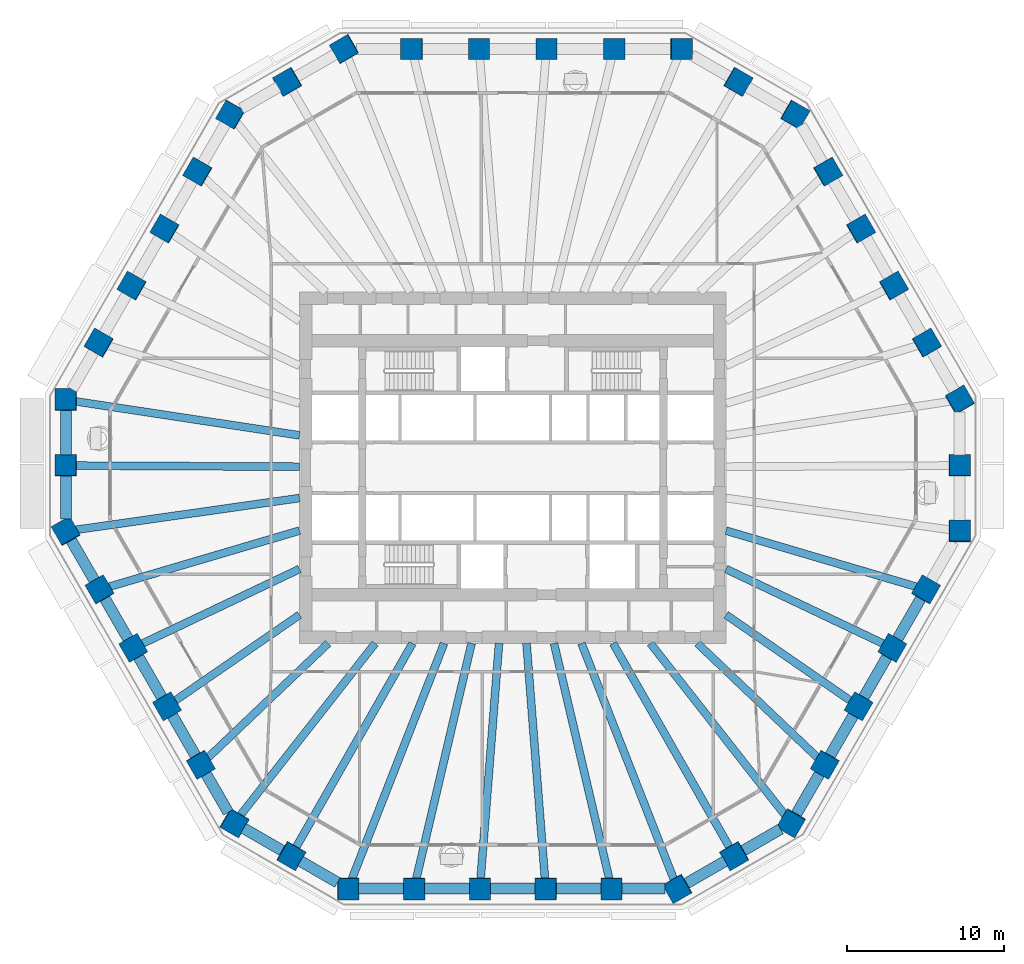
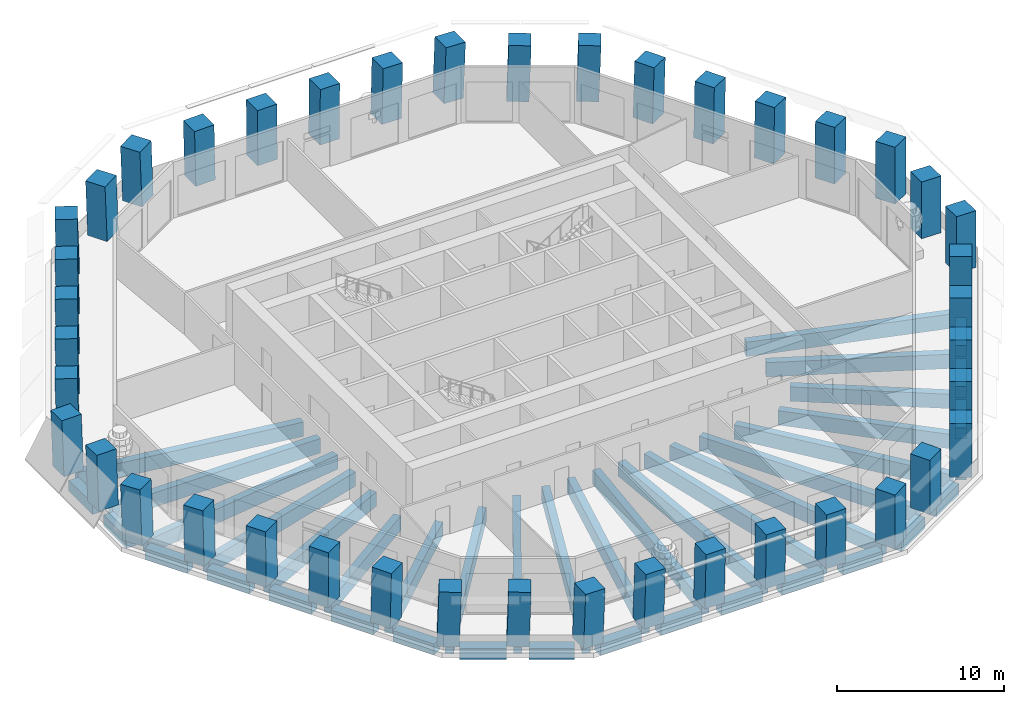
# One storey, part 1 of 12: 42 columns, 41 beams.
"""IFC4 building model written with IfcOpenShell, lengths in metres."""

from ifc_helpers import new_model, si_unit, direction, frame, origin, origin_2d, place, context, subcontext, project, spatial, rectangle, extrude, material, material_profile, profile_set, type_object, element, save


model = new_model("IFC4")

# Units and contexts
model_context = context("Model", 3, precision=1e-05, world=origin(), true_north=direction((0.0, 1.0)))
body_context = subcontext(model_context, "Body", "Model", "MODEL_VIEW")
ifc_project = project(units=[si_unit("LENGTHUNIT", "METRE"), si_unit("AREAUNIT", "SQUARE_METRE"), si_unit("VOLUMEUNIT", "CUBIC_METRE"), si_unit("PLANEANGLEUNIT", "RADIAN"), si_unit("MASSUNIT", "GRAM", prefix="KILO")], contexts=[model_context])

# Site, building, storey
site_placement = place(None, origin())
site = spatial("IfcSite", under=ifc_project, at=site_placement, CompositionType="ELEMENT")
building_placement = place(site_placement, origin())
building = spatial("IfcBuilding", under=site, at=building_placement, Name="Frailejon Research Tower", CompositionType="ELEMENT")
storey_placement = place(building_placement, frame((0.0, 0.0, 85.199951171875)))
storey = spatial("IfcBuildingStorey", under=building, at=storey_placement, Name="L18", CompositionType="ELEMENT", Elevation=85.199951171875)

# Columns
ifc_material_1 = material(Name="Concrete C70/85", Category="concrete")
ifc_material_profile_1 = material_profile(ifc_material_1, rectangle(XDim=1.35009765625, YDim=1.35009765625, at=origin_2d()), Name="Column 1350")
ifc_profile_set_1 = profile_set([ifc_material_profile_1], Name="Concrete C70/85")
column_type = type_object("IfcColumnType", Name="Column 1350", PredefinedType="COLUMN", material=ifc_profile_set_1)
for number, where, z_axis, x_axis, name in (
    (1, (28.49267578125, -4.04931640625, 0.0), (0.018132630042, 0.031385715123, 0.999342856388), (-0.000564983943, 0.99950734708, -0.031380629795), "Column C01"),
    (2, (28.49267578125, 0.13818359375, 0.0), (0.018132595726, 0.031445896907, 0.999340965106), (-0.001395592918, 0.999505115145, -0.031425739745), "Column C02"),
    (3, (28.49267578125, 4.32568359375, 0.0), (0.018132595726, 0.031445896907, 0.999340965106), (-0.501125927405, 0.865184399459, -0.018131735027), "Column C03"),
):
    element("IfcColumn", number, at=place(storey_placement, frame(where, z_axis=z_axis, x_axis=x_axis)), inside=storey, type_object=column_type, Name=name, PredefinedType="COLUMN", context=body_context, shape_type="SweptSolid", body=[
        extrude(rectangle(XDim=1.35009765625, YDim=1.35009765625, at=origin_2d()), origin(), (0.0, 0.0, 1.0), 4.052734375),
    ])
column_1_placement = place(storey_placement, frame((26.392578125, 7.963134765625, 0.0), z_axis=(0.021749390218, 0.025123256844, 0.9994477405), x_axis=(-0.500502362591, 0.865666942435, -0.01086875412)))
element("IfcColumn", 4, at=column_1_placement, inside=storey, type_object=column_type, Name="Column C04", PredefinedType="COLUMN", context=body_context, shape_type="SweptSolid", body=[
    extrude(rectangle(XDim=1.35009765625, YDim=1.35009765625, at=origin_2d()), origin(), (0.0, 0.0, 1.0), 4.05224609375),
])
for number, where, z_axis, x_axis, name in (
    (5, (24.29248046875, 11.6005859375, 0.0), (0.025425823116, 0.018798238892, 0.999499951843), (-0.498882626684, 0.866662044711, -0.003609023418), "Column C05"),
    (6, (22.192626953125, 15.23779296875, 0.0), (0.029040838643, 0.012592396839, 0.999498905068), (-0.500555205851, 0.86569697754, 0.003637165647), "Column C06"),
):
    element("IfcColumn", number, at=place(storey_placement, frame(where, z_axis=z_axis, x_axis=x_axis)), inside=storey, type_object=column_type, Name=name, PredefinedType="COLUMN", context=body_context, shape_type="SweptSolid", body=[
        extrude(rectangle(XDim=1.35009765625, YDim=1.35009765625, at=origin_2d()), origin(), (0.0, 0.0, 1.0), 4.052001953125),
    ])
column_2_placement = place(storey_placement, frame((20.092529296875, 18.875, 0.0), z_axis=(0.032654174822, 0.006325993277, 0.999446690262), x_axis=(-0.500478631698, 0.865680616164, 0.010872442804)))
element("IfcColumn", 7, at=column_2_placement, inside=storey, type_object=column_type, Name="Column C07", PredefinedType="COLUMN", context=body_context, shape_type="SweptSolid", body=[
    extrude(rectangle(XDim=1.35009765625, YDim=1.35009765625, at=origin_2d()), origin(), (0.0, 0.0, 1.0), 4.05224609375),
])
for number, where, z_axis, x_axis, name in (
    (8, (17.99267578125, 22.512451171875, 0.0), (0.036265236264, 0.0, 0.999342199969), (-0.865313546461, 0.500246354177, 0.031401456084), "Column C08"),
    (9, (14.3662109375, 24.606201171875, 0.0), (0.036205074038, 0.0, 0.999344381389), (-0.865315435316, 0.500246354177, 0.031349362627), "Column C09"),
    (10, (10.739501953125, 26.699951171875, 0.0), (0.036265236264, 0.0, 0.999342199969), (-0.999342199969, 0.0, 0.036265236264), "Column C10"),
):
    element("IfcColumn", number, at=place(storey_placement, frame(where, z_axis=z_axis, x_axis=x_axis)), inside=storey, type_object=column_type, Name=name, PredefinedType="COLUMN", context=body_context, shape_type="SweptSolid", body=[
        extrude(rectangle(XDim=1.35009765625, YDim=1.35009765625, at=origin_2d()), origin(), (0.0, 0.0, 1.0), 4.052734375),
    ])
column_3_placement = place(storey_placement, frame((6.443603515625, 26.699951171875, 0.0), z_axis=(0.021816495333, 0.0, 0.999761991942), x_axis=(-0.999761991942, 0.0, 0.021816495333)))
element("IfcColumn", 11, at=column_3_placement, inside=storey, type_object=column_type, Name="Column C11", PredefinedType="COLUMN", context=body_context, shape_type="SweptSolid", body=[
    extrude(rectangle(XDim=1.35009765625, YDim=1.35009765625, at=origin_2d()), origin(), (0.0, 0.0, 1.0), 4.051025390625),
])
for number, where, z_axis, x_axis, name in (
    (12, (2.14794921875, 26.699951171875, 0.0), (0.007233519834, 0.0, 0.999973837753), (-0.999973837753, 0.0, 0.007233519834), "Column C12"),
    (13, (-2.14794921875, 26.699951171875, 0.0), (-0.007233519834, 0.0, 0.999973837753), (-0.999973837753, 0.0, -0.007233519834), "Column C13"),
):
    element("IfcColumn", number, at=place(storey_placement, frame(where, z_axis=z_axis, x_axis=x_axis)), inside=storey, type_object=column_type, Name=name, PredefinedType="COLUMN", context=body_context, shape_type="SweptSolid", body=[
        extrude(rectangle(XDim=1.35009765625, YDim=1.35009765625, at=origin_2d()), origin(), (0.0, 0.0, 1.0), 4.050048828125),
    ])
column_4_placement = place(storey_placement, frame((-6.443603515625, 26.699951171875, 0.0), z_axis=(-0.021816495333, 0.0, 0.999761991942), x_axis=(-0.999761991942, 0.0, -0.021816495333)))
element("IfcColumn", 14, at=column_4_placement, inside=storey, type_object=column_type, Name="Column C14", PredefinedType="COLUMN", context=body_context, shape_type="SweptSolid", body=[
    extrude(rectangle(XDim=1.35009765625, YDim=1.35009765625, at=origin_2d()), origin(), (0.0, 0.0, 1.0), 4.051025390625),
])
for number, where, z_axis, x_axis, name in (
    (15, (-10.739501953125, 26.699951171875, 0.0), (-0.036265236264, 0.0, 0.999342199969), (-0.865313546461, -0.500246354177, -0.031401456084), "Column C15"),
    (16, (-14.3662109375, 24.606201171875, 0.0), (-0.036205074038, 0.0, 0.999344381389), (-0.865315435316, -0.500246354177, -0.031349362627), "Column C16"),
    (17, (-17.99267578125, 22.512451171875, 0.0), (-0.036265236264, 0.0, 0.999342199969), (-0.499424867419, -0.866167613071, -0.018123682572), "Column C17"),
):
    element("IfcColumn", number, at=place(storey_placement, frame(where, z_axis=z_axis, x_axis=x_axis)), inside=storey, type_object=column_type, Name=name, PredefinedType="COLUMN", context=body_context, shape_type="SweptSolid", body=[
        extrude(rectangle(XDim=1.35009765625, YDim=1.35009765625, at=origin_2d()), origin(), (0.0, 0.0, 1.0), 4.052734375),
    ])
column_5_placement = place(storey_placement, frame((-20.092529296875, 18.875, 0.0), z_axis=(-0.032654174822, 0.006325993277, 0.999446690262), x_axis=(-0.500478631698, -0.865680616164, -0.010872442804)))
element("IfcColumn", 18, at=column_5_placement, inside=storey, type_object=column_type, Name="Column C18", PredefinedType="COLUMN", context=body_context, shape_type="SweptSolid", body=[
    extrude(rectangle(XDim=1.35009765625, YDim=1.35009765625, at=origin_2d()), origin(), (0.0, 0.0, 1.0), 4.05224609375),
])
for number, where, z_axis, x_axis, name in (
    (19, (-22.192626953125, 15.23779296875, 0.0), (-0.029040838643, 0.012592396839, 0.999498905068), (-0.500555205851, -0.86569697754, -0.003637165647), "Column C19"),
    (20, (-24.29248046875, 11.6005859375, 0.0), (-0.025425823116, 0.018798238892, 0.999499951843), (-0.498882626684, -0.866662044711, 0.003609023418), "Column C20"),
):
    element("IfcColumn", number, at=place(storey_placement, frame(where, z_axis=z_axis, x_axis=x_axis)), inside=storey, type_object=column_type, Name=name, PredefinedType="COLUMN", context=body_context, shape_type="SweptSolid", body=[
        extrude(rectangle(XDim=1.35009765625, YDim=1.35009765625, at=origin_2d()), origin(), (0.0, 0.0, 1.0), 4.052001953125),
    ])
column_6_placement = place(storey_placement, frame((-26.392578125, 7.963134765625, 0.0), z_axis=(-0.021749390218, 0.025123256844, 0.9994477405), x_axis=(-0.500502362591, -0.865666942435, 0.01086875412)))
element("IfcColumn", 21, at=column_6_placement, inside=storey, type_object=column_type, Name="Column C21", PredefinedType="COLUMN", context=body_context, shape_type="SweptSolid", body=[
    extrude(rectangle(XDim=1.35009765625, YDim=1.35009765625, at=origin_2d()), origin(), (0.0, 0.0, 1.0), 4.05224609375),
])
for number, where, z_axis, x_axis, name in (
    (22, (-28.49267578125, 4.32568359375, 0.0), (-0.018132595726, 0.031445896907, 0.999340965106), (-0.001395592918, -0.999505115145, 0.031425739745), "Column C22"),
    (23, (-28.49267578125, 0.13818359375, 0.0), (-0.018132595726, 0.031445896907, 0.999340965106), (-0.001395592918, -0.999505115145, 0.031425739745), "Column C23"),
    (24, (-28.49267578125, -4.04931640625, 0.0), (-0.018132630042, 0.031385715123, 0.999342856388), (0.499674818932, -0.865454343132, 0.036247141676), "Column C24"),
):
    element("IfcColumn", number, at=place(storey_placement, frame(where, z_axis=z_axis, x_axis=x_axis)), inside=storey, type_object=column_type, Name=name, PredefinedType="COLUMN", context=body_context, shape_type="SweptSolid", body=[
        extrude(rectangle(XDim=1.35009765625, YDim=1.35009765625, at=origin_2d()), origin(), (0.0, 0.0, 1.0), 4.052734375),
    ])
column_7_placement = place(storey_placement, frame((-26.3447265625, -7.76953125, 0.0), z_axis=(-0.010908253887, 0.018863444567, 0.99976256204), x_axis=(0.500638377412, -0.865382225109, 0.021790354016)))
element("IfcColumn", 25, at=column_7_placement, inside=storey, type_object=column_type, Name="Column C25", PredefinedType="COLUMN", context=body_context, shape_type="SweptSolid", body=[
    extrude(rectangle(XDim=1.35009765625, YDim=1.35009765625, at=origin_2d()), origin(), (0.0, 0.0, 1.0), 4.051025390625),
])
for number, where, z_axis, x_axis, name in (
    (26, (-24.19677734375, -11.489990234375, 0.0), (-0.003616758439, 0.006329327268, 0.999973428984), (0.495951477881, -0.868319636001, 0.00728980954), "Column C26"),
    (27, (-22.048828125, -15.210205078125, 0.0), (0.003616759812, -0.006269050341, 0.999973808685), (0.501883236828, -0.864905101718, -0.007237514304), "Column C27"),
):
    element("IfcColumn", number, at=place(storey_placement, frame(where, z_axis=z_axis, x_axis=x_axis)), inside=storey, type_object=column_type, Name=name, PredefinedType="COLUMN", context=body_context, shape_type="SweptSolid", body=[
        extrude(rectangle(XDim=1.35009765625, YDim=1.35009765625, at=origin_2d()), origin(), (0.0, 0.0, 1.0), 4.050048828125),
    ])
column_8_placement = place(storey_placement, frame((-19.90087890625, -18.930419921875, 0.0), z_axis=(0.010847994403, -0.018863456933, 0.999763217472), x_axis=(0.498562459177, -0.866580616749, -0.02176026136)))
element("IfcColumn", 28, at=column_8_placement, inside=storey, type_object=column_type, Name="Column C28", PredefinedType="COLUMN", context=body_context, shape_type="SweptSolid", body=[
    extrude(rectangle(XDim=1.35009765625, YDim=1.35009765625, at=origin_2d()), origin(), (0.0, 0.0, 1.0), 4.051025390625),
])
for number, where, z_axis, x_axis, name in (
    (29, (-17.753173828125, -22.650634765625, 0.0), (0.018132595726, -0.031445896907, 0.999340965106), (0.865740985748, -0.499504693256, -0.031426215359), "Column C29"),
    (30, (-14.126708984375, -24.744384765625, 0.0), (0.018192817002, -0.0314458625, 0.999339871686), (0.866186210709, -0.498729969757, -0.031462130318), "Column C30"),
    (31, (-10.5, -26.83837890625, 0.0), (0.018132630042, -0.031385715123, 0.999342856388), (0.999835440934, 0.001115627466, -0.018106529978), "Column C31"),
):
    element("IfcColumn", number, at=place(storey_placement, frame(where, z_axis=z_axis, x_axis=x_axis)), inside=storey, type_object=column_type, Name=name, PredefinedType="COLUMN", context=body_context, shape_type="SweptSolid", body=[
        extrude(rectangle(XDim=1.35009765625, YDim=1.35009765625, at=origin_2d()), origin(), (0.0, 0.0, 1.0), 4.052734375),
    ])
column_9_placement = place(storey_placement, frame((-6.300048828125, -26.83837890625, 0.0), z_axis=(0.010904819076, -0.031389009606, 0.999447755011), x_axis=(0.999940093801, 0.001287275269, -0.010869762286)))
element("IfcColumn", 32, at=column_9_placement, inside=storey, type_object=column_type, Name="Column C32", PredefinedType="COLUMN", context=body_context, shape_type="SweptSolid", body=[
    extrude(rectangle(XDim=1.35009765625, YDim=1.35009765625, at=origin_2d()), origin(), (0.0, 0.0, 1.0), 4.05224609375),
])
for number, where, z_axis, x_axis, name in (
    (33, (-2.10009765625, -26.83837890625, 0.0), (0.003675298481, -0.031390664074, 0.999500434412), (0.999992304508, 0.001486966471, -0.003630406959), "Column C33"),
    (34, (2.10009765625, -26.83837890625, 0.0), (-0.003675298481, -0.031390664074, 0.999500434412), (0.999992304508, -0.001486966471, 0.003630406959), "Column C34"),
):
    element("IfcColumn", number, at=place(storey_placement, frame(where, z_axis=z_axis, x_axis=x_axis)), inside=storey, type_object=column_type, Name=name, PredefinedType="COLUMN", context=body_context, shape_type="SweptSolid", body=[
        extrude(rectangle(XDim=1.35009765625, YDim=1.35009765625, at=origin_2d()), origin(), (0.0, 0.0, 1.0), 4.052001953125),
    ])
column_10_placement = place(storey_placement, frame((6.300048828125, -26.83837890625, 0.0), z_axis=(-0.010904819076, -0.031389009606, 0.999447755011), x_axis=(0.999940093801, -0.001287275269, 0.010869762286)))
element("IfcColumn", 35, at=column_10_placement, inside=storey, type_object=column_type, Name="Column C35", PredefinedType="COLUMN", context=body_context, shape_type="SweptSolid", body=[
    extrude(rectangle(XDim=1.35009765625, YDim=1.35009765625, at=origin_2d()), origin(), (0.0, 0.0, 1.0), 4.05224609375),
])
for number, where, z_axis, x_axis, name in (
    (36, (10.5, -26.83837890625, 0.0), (-0.018132630042, -0.031385715123, 0.999342856388), (0.866156195426, 0.498787200508, 0.031381104725), "Column C36"),
    (37, (14.126708984375, -24.744384765625, 0.0), (-0.018192817002, -0.0314458625, 0.999339871686), (0.866186210709, 0.498729969757, 0.031462130318), "Column C37"),
    (38, (17.753173828125, -22.650634765625, 0.0), (-0.018132595726, -0.031445896907, 0.999340965106), (0.499425428362, 0.865596098728, 0.036299247542), "Column C38"),
):
    element("IfcColumn", number, at=place(storey_placement, frame(where, z_axis=z_axis, x_axis=x_axis)), inside=storey, type_object=column_type, Name=name, PredefinedType="COLUMN", context=body_context, shape_type="SweptSolid", body=[
        extrude(rectangle(XDim=1.35009765625, YDim=1.35009765625, at=origin_2d()), origin(), (0.0, 0.0, 1.0), 4.052734375),
    ])
column_11_placement = place(storey_placement, frame((19.90087890625, -18.930419921875, 0.0), z_axis=(-0.010847994403, -0.018863456933, 0.999763217472), x_axis=(0.498562459177, 0.866580616749, 0.02176026136)))
element("IfcColumn", 39, at=column_11_placement, inside=storey, type_object=column_type, Name="Column C39", PredefinedType="COLUMN", context=body_context, shape_type="SweptSolid", body=[
    extrude(rectangle(XDim=1.35009765625, YDim=1.35009765625, at=origin_2d()), origin(), (0.0, 0.0, 1.0), 4.051025390625),
])
for number, where, z_axis, x_axis, name in (
    (40, (22.048828125, -15.210205078125, 0.0), (-0.003616759812, -0.006269050341, 0.999973808685), (0.501883236828, 0.864905101718, 0.007237514304), "Column C40"),
    (41, (24.19677734375, -11.489990234375, 0.0), (0.003616758439, 0.006329327268, 0.999973428984), (0.495951477881, 0.868319636001, -0.00728980954), "Column C41"),
):
    element("IfcColumn", number, at=place(storey_placement, frame(where, z_axis=z_axis, x_axis=x_axis)), inside=storey, type_object=column_type, Name=name, PredefinedType="COLUMN", context=body_context, shape_type="SweptSolid", body=[
        extrude(rectangle(XDim=1.35009765625, YDim=1.35009765625, at=origin_2d()), origin(), (0.0, 0.0, 1.0), 4.050048828125),
    ])
column_12_placement = place(storey_placement, frame((26.3447265625, -7.76953125, 0.0), z_axis=(0.010908253887, 0.018863444567, 0.99976256204), x_axis=(0.500638377412, 0.865382225109, -0.021790354016)))
element("IfcColumn", 42, at=column_12_placement, inside=storey, type_object=column_type, Name="Column C42", PredefinedType="COLUMN", context=body_context, shape_type="SweptSolid", body=[
    extrude(rectangle(XDim=1.35009765625, YDim=1.35009765625, at=origin_2d()), origin(), (0.0, 0.0, 1.0), 4.051025390625),
])

# Beams
ifc_material_2 = material(Name="Concrete C60/75", Category="concrete")
ifc_material_profile_2 = material_profile(ifc_material_2, rectangle(XDim=0.5, YDim=1.050048828125, at=origin_2d()), Name="Girder 500x1050")
ifc_profile_set_2 = profile_set([ifc_material_profile_2], Name="Concrete C60/75")
beam_type_1 = type_object("IfcBeamType", Name="Girder 500x1050", PredefinedType="BEAM", material=ifc_profile_set_2)
beam_1_placement = place(storey_placement, frame((-27.9658203125, 4.245849609375, -0.824951171875), z_axis=(0.98866930431, -0.150109982066, 0.0), x_axis=(0.150109982066, 0.98866930431, 0.0)))
element("IfcBeam", 43, at=beam_1_placement, inside=storey, type_object=beam_type_1, Name="Girder 500x1050", PredefinedType="BEAM", context=body_context, shape_type="SweptSolid", body=[
    extrude(rectangle(XDim=0.5, YDim=1.050048828125, at=origin_2d()), origin(), (0.0, 0.0, 1.0), 14.5302734375),
])
beam_2_placement = place(storey_placement, frame((-27.967529296875, 0.1357421875, -0.824951171875), z_axis=(0.999988190916, -0.004859838274, 0.0), x_axis=(0.004859838274, 0.999988190916, 0.0)))
element("IfcBeam", 44, at=beam_2_placement, inside=storey, type_object=beam_type_1, Name="Girder 500x1050", PredefinedType="BEAM", context=body_context, shape_type="SweptSolid", body=[
    extrude(rectangle(XDim=0.5, YDim=1.050048828125, at=origin_2d()), origin(), (0.0, 0.0, 1.0), 14.36767578125),
])
beam_3_placement = place(storey_placement, frame((-27.9208984375, -3.968017578125, -0.824951171875), z_axis=(0.990052525331, 0.140698248341, 0.0), x_axis=(-0.140698248341, 0.990052525331, 0.0)))
element("IfcBeam", 45, at=beam_3_placement, inside=storey, type_object=beam_type_1, Name="Girder 500x1050", PredefinedType="BEAM", context=body_context, shape_type="SweptSolid", body=[
    extrude(rectangle(XDim=0.5, YDim=1.050048828125, at=origin_2d()), origin(), (0.0, 0.0, 1.0), 14.464599609375),
])
beam_4_placement = place(storey_placement, frame((-25.822509765625, -7.615478515625, -0.824951171875), z_axis=(0.959159928383, 0.282864334591, 0.0), x_axis=(-0.282864334591, 0.959159928383, 0.0)))
element("IfcBeam", 46, at=beam_4_placement, inside=storey, type_object=beam_type_1, Name="Girder 500x1050", PredefinedType="BEAM", context=body_context, shape_type="SweptSolid", body=[
    extrude(rectangle(XDim=0.5, YDim=1.050048828125, at=origin_2d()), origin(), (0.0, 0.0, 1.0), 12.742919921875),
])
beam_5_placement = place(storey_placement, frame((-23.720703125, -11.263916015625, -0.824951171875), z_axis=(0.90332521456, 0.428956357616, 0.0), x_axis=(-0.428956357616, 0.90332521456, 0.0)))
element("IfcBeam", 47, at=beam_5_placement, inside=storey, type_object=beam_type_1, Name="Girder 500x1050", PredefinedType="BEAM", context=body_context, shape_type="SweptSolid", body=[
    extrude(rectangle(XDim=0.5, YDim=1.050048828125, at=origin_2d()), origin(), (0.0, 0.0, 1.0), 11.20361328125),
])
beam_6_placement = place(storey_placement, frame((-21.614990234375, -14.91064453125, -0.824951171875), z_axis=(0.823150550862, 0.56782318605, 0.0), x_axis=(-0.56782318605, 0.823150550862, 0.0)))
element("IfcBeam", 48, at=beam_6_placement, inside=storey, type_object=beam_type_1, Name="Girder 500x1050", PredefinedType="BEAM", context=body_context, shape_type="SweptSolid", body=[
    extrude(rectangle(XDim=0.5, YDim=1.050048828125, at=origin_2d()), origin(), (0.0, 0.0, 1.0), 9.73681640625),
])
beam_7_placement = place(storey_placement, frame((-19.506591796875, -18.55517578125, -0.824951171875), z_axis=(0.724558340328, 0.68921347307, 0.0), x_axis=(-0.68921347307, 0.724558340328, 0.0)))
element("IfcBeam", 49, at=beam_7_placement, inside=storey, type_object=beam_type_1, Name="Girder 500x1050", PredefinedType="BEAM", context=body_context, shape_type="SweptSolid", body=[
    extrude(rectangle(XDim=0.5, YDim=1.050048828125, at=origin_2d()), origin(), (0.0, 0.0, 1.0), 10.671875),
])
beam_8_placement = place(storey_placement, frame((-17.425048828125, -22.232177734375, -0.824951171875), z_axis=(0.616874956292, 0.787061171892, 0.0), x_axis=(-0.787061171892, 0.616874956292, 0.0)))
element("IfcBeam", 50, at=beam_8_placement, inside=storey, type_object=beam_type_1, Name="Girder 500x1050", PredefinedType="BEAM", context=body_context, shape_type="SweptSolid", body=[
    extrude(rectangle(XDim=0.5, YDim=1.050048828125, at=origin_2d()), origin(), (0.0, 0.0, 1.0), 14.01708984375),
])
beam_9_placement = place(storey_placement, frame((-13.8662109375, -24.28857421875, -0.824951171875), z_axis=(0.495786507001, 0.868444436608, 0.0), x_axis=(-0.868444436608, 0.495786507001, 0.0)))
element("IfcBeam", 51, at=beam_9_placement, inside=storey, type_object=beam_type_1, Name="Girder 500x1050", PredefinedType="BEAM", context=body_context, shape_type="SweptSolid", body=[
    extrude(rectangle(XDim=0.5, YDim=1.050048828125, at=origin_2d()), origin(), (0.0, 0.0, 1.0), 15.0712890625),
])
beam_10_placement = place(storey_placement, frame((-10.29052734375, -26.302978515625, -0.824951171875), z_axis=(0.364335775627, 0.931267653577, 0.0), x_axis=(-0.931267653577, 0.364335775627, 0.0)))
element("IfcBeam", 52, at=beam_10_placement, inside=storey, type_object=beam_type_1, Name="Girder 500x1050", PredefinedType="BEAM", context=body_context, shape_type="SweptSolid", body=[
    extrude(rectangle(XDim=0.5, YDim=1.050048828125, at=origin_2d()), origin(), (0.0, 0.0, 1.0), 16.2177734375),
])
beam_11_placement = place(storey_placement, frame((-6.17578125, -26.309326171875, -0.824951171875), z_axis=(0.228519363908, 0.973539367627, 0.0), x_axis=(-0.973539367627, 0.228519363908, 0.0)))
element("IfcBeam", 53, at=beam_11_placement, inside=storey, type_object=beam_type_1, Name="Girder 500x1050", PredefinedType="BEAM", context=body_context, shape_type="SweptSolid", body=[
    extrude(rectangle(XDim=0.5, YDim=1.050048828125, at=origin_2d()), origin(), (0.0, 0.0, 1.0), 15.52001953125),
])
for number, where, z_axis, x_axis, name in (
    (54, (-2.058837890625, -26.312744140625, -0.824951171875), (0.07799821964, 0.99695349828, 0.0), (-0.99695349828, 0.07799821964, 0.0), "Girder 500x1050"),
    (55, (2.058837890625, -26.312744140625, -0.824951171875), (-0.07799821964, 0.99695349828, 0.0), (-0.99695349828, -0.07799821964, 0.0), "Girder 500x1050"),
):
    element("IfcBeam", number, at=place(storey_placement, frame(where, z_axis=z_axis, x_axis=x_axis)), inside=storey, type_object=beam_type_1, Name=name, PredefinedType="BEAM", context=body_context, shape_type="SweptSolid", body=[
        extrude(rectangle(XDim=0.5, YDim=1.050048828125, at=origin_2d()), origin(), (0.0, 0.0, 1.0), 15.158935546875),
    ])
beam_12_placement = place(storey_placement, frame((6.17578125, -26.309326171875, -0.824951171875), z_axis=(-0.228519363908, 0.973539367627, 0.0), x_axis=(-0.973539367627, -0.228519363908, 0.0)))
element("IfcBeam", 56, at=beam_12_placement, inside=storey, type_object=beam_type_1, Name="Girder 500x1050", PredefinedType="BEAM", context=body_context, shape_type="SweptSolid", body=[
    extrude(rectangle(XDim=0.5, YDim=1.050048828125, at=origin_2d()), origin(), (0.0, 0.0, 1.0), 15.52001953125),
])
beam_13_placement = place(storey_placement, frame((10.305908203125, -26.34228515625, -0.824951171875), z_axis=(-0.364335940657, 0.931267589013, 0.0), x_axis=(-0.931267589013, -0.364335940657, 0.0)))
element("IfcBeam", 57, at=beam_13_placement, inside=storey, type_object=beam_type_1, Name="Girder 500x1050", PredefinedType="BEAM", context=body_context, shape_type="SweptSolid", body=[
    extrude(rectangle(XDim=0.5, YDim=1.050048828125, at=origin_2d()), origin(), (0.0, 0.0, 1.0), 16.260009765625),
])
beam_14_placement = place(storey_placement, frame((13.8662109375, -24.28857421875, -0.824951171875), z_axis=(-0.495786507001, 0.868444436608, 0.0), x_axis=(-0.868444436608, -0.495786507001, 0.0)))
element("IfcBeam", 58, at=beam_14_placement, inside=storey, type_object=beam_type_1, Name="Girder 500x1050", PredefinedType="BEAM", context=body_context, shape_type="SweptSolid", body=[
    extrude(rectangle(XDim=0.5, YDim=1.050048828125, at=origin_2d()), origin(), (0.0, 0.0, 1.0), 15.0712890625),
])
beam_15_placement = place(storey_placement, frame((17.396728515625, -22.196044921875, -0.824951171875), z_axis=(-0.616874934253, 0.787061189166, 0.0), x_axis=(-0.787061189166, -0.616874934253, 0.0)))
element("IfcBeam", 59, at=beam_15_placement, inside=storey, type_object=beam_type_1, Name="Girder 500x1050", PredefinedType="BEAM", context=body_context, shape_type="SweptSolid", body=[
    extrude(rectangle(XDim=0.5, YDim=1.050048828125, at=origin_2d()), origin(), (0.0, 0.0, 1.0), 13.97119140625),
])
beam_16_placement = place(storey_placement, frame((19.506591796875, -18.55517578125, -0.824951171875), z_axis=(-0.724558340328, 0.68921347307, 0.0), x_axis=(-0.68921347307, -0.724558340328, 0.0)))
element("IfcBeam", 60, at=beam_16_placement, inside=storey, type_object=beam_type_1, Name="Girder 500x1050", PredefinedType="BEAM", context=body_context, shape_type="SweptSolid", body=[
    extrude(rectangle(XDim=0.5, YDim=1.050048828125, at=origin_2d()), origin(), (0.0, 0.0, 1.0), 10.671875),
])
beam_17_placement = place(storey_placement, frame((21.614990234375, -14.91064453125, -0.824951171875), z_axis=(-0.823150550862, 0.56782318605, 0.0), x_axis=(-0.56782318605, -0.823150550862, 0.0)))
element("IfcBeam", 61, at=beam_17_placement, inside=storey, type_object=beam_type_1, Name="Girder 500x1050", PredefinedType="BEAM", context=body_context, shape_type="SweptSolid", body=[
    extrude(rectangle(XDim=0.5, YDim=1.050048828125, at=origin_2d()), origin(), (0.0, 0.0, 1.0), 9.73681640625),
])
beam_18_placement = place(storey_placement, frame((23.720703125, -11.263916015625, -0.824951171875), z_axis=(-0.90332521456, 0.428956357616, 0.0), x_axis=(-0.428956357616, -0.90332521456, 0.0)))
element("IfcBeam", 62, at=beam_18_placement, inside=storey, type_object=beam_type_1, Name="Girder 500x1050", PredefinedType="BEAM", context=body_context, shape_type="SweptSolid", body=[
    extrude(rectangle(XDim=0.5, YDim=1.050048828125, at=origin_2d()), origin(), (0.0, 0.0, 1.0), 11.20361328125),
])
beam_19_placement = place(storey_placement, frame((25.822509765625, -7.615478515625, -0.824951171875), z_axis=(-0.959159928383, 0.282864334591, 0.0), x_axis=(-0.282864334591, -0.959159928383, 0.0)))
element("IfcBeam", 63, at=beam_19_placement, inside=storey, type_object=beam_type_1, Name="Girder 500x1050", PredefinedType="BEAM", context=body_context, shape_type="SweptSolid", body=[
    extrude(rectangle(XDim=0.5, YDim=1.050048828125, at=origin_2d()), origin(), (0.0, 0.0, 1.0), 12.742919921875),
])
ifc_material_3 = material(Name="Concrete C60/75", Category="concrete")
ifc_material_profile_3 = material_profile(ifc_material_3, rectangle(XDim=0.699951171875, YDim=0.800048828125, at=origin_2d()), Name="Spandrel 700x800")
ifc_profile_set_3 = profile_set([ifc_material_profile_3], Name="Concrete C60/75")
beam_type_2 = type_object("IfcBeamType", Name="Spandrel 700x800", PredefinedType="BEAM", material=ifc_profile_set_3)
beam_20_placement = place(storey_placement, frame((-28.49267578125, 3.65087890625, -0.75), z_axis=(0.0, -1.0, 0.0), x_axis=(1.0, 0.0, 0.0)))
element("IfcBeam", 64, at=beam_20_placement, inside=storey, type_object=beam_type_2, Name="Spandrel 700x800", PredefinedType="BEAM", context=body_context, shape_type="SweptSolid", body=[
    extrude(rectangle(XDim=0.699951171875, YDim=0.800048828125, at=origin_2d()), origin(), (0.0, 0.0, 1.0), 2.837646484375),
])
beam_21_placement = place(storey_placement, frame((-28.49267578125, -0.53662109375, -0.75), z_axis=(0.0, -1.0, 0.0), x_axis=(1.0, 0.0, 0.0)))
element("IfcBeam", 65, at=beam_21_placement, inside=storey, type_object=beam_type_2, Name="Spandrel 700x800", PredefinedType="BEAM", context=body_context, shape_type="SweptSolid", body=[
    extrude(rectangle(XDim=0.699951171875, YDim=0.800048828125, at=origin_2d()), origin(), (0.0, 0.0, 1.0), 2.7333984375),
])
for number, where, z_axis, x_axis, name in (
    (66, (-28.155029296875, -4.6337890625, -0.75), (0.499980712142, -0.866036539348, 0.0), (0.866036539348, 0.499980712142, 0.0), "Spandrel 700x800"),
    (67, (-26.007080078125, -8.354248046875, -0.75), (0.500016598995, -0.866015820138, 0.0), (0.866015820138, 0.500016598995, 0.0), "Spandrel 700x800"),
    (68, (-23.859375, -12.074462890625, -0.75), (0.500016598995, -0.866015820138, 0.0), (0.866015820138, 0.500016598995, 0.0), "Spandrel 700x800"),
    (69, (-21.71142578125, -15.794677734375, -0.75), (0.500016598995, -0.866015820138, 0.0), (0.866015820138, 0.500016598995, 0.0), "Spandrel 700x800"),
):
    element("IfcBeam", number, at=place(storey_placement, frame(where, z_axis=z_axis, x_axis=x_axis)), inside=storey, type_object=beam_type_2, Name=name, PredefinedType="BEAM", context=body_context, shape_type="SweptSolid", body=[
        extrude(rectangle(XDim=0.699951171875, YDim=0.800048828125, at=origin_2d()), origin(), (0.0, 0.0, 1.0), 2.94580078125),
    ])
beam_22_placement = place(storey_placement, frame((-19.5634765625, -19.514892578125, -0.75), z_axis=(0.499992694506, -0.866029621572, 0.0), x_axis=(0.866029621572, 0.499992694506, 0.0)))
element("IfcBeam", 70, at=beam_22_placement, inside=storey, type_object=beam_type_2, Name="Spandrel 700x800", PredefinedType="BEAM", context=body_context, shape_type="SweptSolid", body=[
    extrude(rectangle(XDim=0.699951171875, YDim=0.800048828125, at=origin_2d()), origin(), (0.0, 0.0, 1.0), 2.84130859375),
])
beam_23_placement = place(storey_placement, frame((-17.16845703125, -22.98828125, -0.75), z_axis=(0.866026538634, -0.499998034377, 0.0), x_axis=(0.499998034377, 0.866026538634, 0.0)))
element("IfcBeam", 71, at=beam_23_placement, inside=storey, type_object=beam_type_2, Name="Spandrel 700x800", PredefinedType="BEAM", context=body_context, shape_type="SweptSolid", body=[
    extrude(rectangle(XDim=0.699951171875, YDim=0.800048828125, at=origin_2d()), origin(), (0.0, 0.0, 1.0), 2.83740234375),
])
beam_24_placement = place(storey_placement, frame((-13.5419921875, -25.08203125, -0.75), z_axis=(0.866041295585, -0.499972473583, 0.0), x_axis=(0.499972473583, 0.866041295585, 0.0)))
element("IfcBeam", 72, at=beam_24_placement, inside=storey, type_object=beam_type_2, Name="Spandrel 700x800", PredefinedType="BEAM", context=body_context, shape_type="SweptSolid", body=[
    extrude(rectangle(XDim=0.699951171875, YDim=0.800048828125, at=origin_2d()), origin(), (0.0, 0.0, 1.0), 2.733154296875),
])
beam_25_placement = place(storey_placement, frame((-9.824951171875, -26.83837890625, -0.75), z_axis=(1.0, 0.0, 0.0), x_axis=(0.0, 1.0, 0.0)))
element("IfcBeam", 73, at=beam_25_placement, inside=storey, type_object=beam_type_2, Name="Spandrel 700x800", PredefinedType="BEAM", context=body_context, shape_type="SweptSolid", body=[
    extrude(rectangle(XDim=0.699951171875, YDim=0.800048828125, at=origin_2d()), origin(), (0.0, 0.0, 1.0), 2.849853515625),
])
for number, where, z_axis, x_axis, name in (
    (74, (-5.625, -26.83837890625, -0.75), (1.0, 0.0, 0.0), (0.0, 1.0, 0.0), "Spandrel 700x800"),
    (75, (-1.425048828125, -26.83837890625, -0.75), (1.0, 0.0, 0.0), (0.0, 1.0, 0.0), "Spandrel 700x800"),
    (76, (2.77490234375, -26.83837890625, -0.75), (1.0, 0.0, 0.0), (0.0, 1.0, 0.0), "Spandrel 700x800"),
):
    element("IfcBeam", number, at=place(storey_placement, frame(where, z_axis=z_axis, x_axis=x_axis)), inside=storey, type_object=beam_type_2, Name=name, PredefinedType="BEAM", context=body_context, shape_type="SweptSolid", body=[
        extrude(rectangle(XDim=0.699951171875, YDim=0.800048828125, at=origin_2d()), origin(), (0.0, 0.0, 1.0), 2.85009765625),
    ])
beam_26_placement = place(storey_placement, frame((6.97509765625, -26.83837890625, -0.75), z_axis=(1.0, 0.0, 0.0), x_axis=(0.0, 1.0, 0.0)))
element("IfcBeam", 77, at=beam_26_placement, inside=storey, type_object=beam_type_2, Name="Spandrel 700x800", PredefinedType="BEAM", context=body_context, shape_type="SweptSolid", body=[
    extrude(rectangle(XDim=0.699951171875, YDim=0.800048828125, at=origin_2d()), origin(), (0.0, 0.0, 1.0), 2.74560546875),
])
beam_27_placement = place(storey_placement, frame((11.084716796875, -26.500732421875, -0.75), z_axis=(0.866026538634, 0.499998034377, 0.0), x_axis=(-0.499998034377, 0.866026538634, 0.0)))
element("IfcBeam", 78, at=beam_27_placement, inside=storey, type_object=beam_type_2, Name="Spandrel 700x800", PredefinedType="BEAM", context=body_context, shape_type="SweptSolid", body=[
    extrude(rectangle(XDim=0.699951171875, YDim=0.800048828125, at=origin_2d()), origin(), (0.0, 0.0, 1.0), 2.83740234375),
])
beam_28_placement = place(storey_placement, frame((14.711181640625, -24.406982421875, -0.75), z_axis=(0.866002615699, 0.500039468044, 0.0), x_axis=(-0.500039468044, 0.866002615699, 0.0)))
element("IfcBeam", 79, at=beam_28_placement, inside=storey, type_object=beam_type_2, Name="Spandrel 700x800", PredefinedType="BEAM", context=body_context, shape_type="SweptSolid", body=[
    extrude(rectangle(XDim=0.699951171875, YDim=0.800048828125, at=origin_2d()), origin(), (0.0, 0.0, 1.0), 2.733154296875),
])
for number, where, z_axis, x_axis, name in (
    (80, (18.090576171875, -22.066162109375, -0.75), (0.499980712142, 0.866036539348, 0.0), (-0.866036539348, 0.499980712142, 0.0), "Spandrel 700x800"),
    (81, (20.238525390625, -18.345703125, -0.75), (0.500016598995, 0.866015820138, 0.0), (-0.866015820138, 0.500016598995, 0.0), "Spandrel 700x800"),
    (82, (22.386474609375, -14.62548828125, -0.75), (0.500016598995, 0.866015820138, 0.0), (-0.866015820138, 0.500016598995, 0.0), "Spandrel 700x800"),
    (83, (24.5341796875, -10.9052734375, -0.75), (0.500016598995, 0.866015820138, 0.0), (-0.866015820138, 0.500016598995, 0.0), "Spandrel 700x800"),
):
    element("IfcBeam", number, at=place(storey_placement, frame(where, z_axis=z_axis, x_axis=x_axis)), inside=storey, type_object=beam_type_2, Name=name, PredefinedType="BEAM", context=body_context, shape_type="SweptSolid", body=[
        extrude(rectangle(XDim=0.699951171875, YDim=0.800048828125, at=origin_2d()), origin(), (0.0, 0.0, 1.0), 2.94580078125),
    ])

save(model, "model.ifc")
